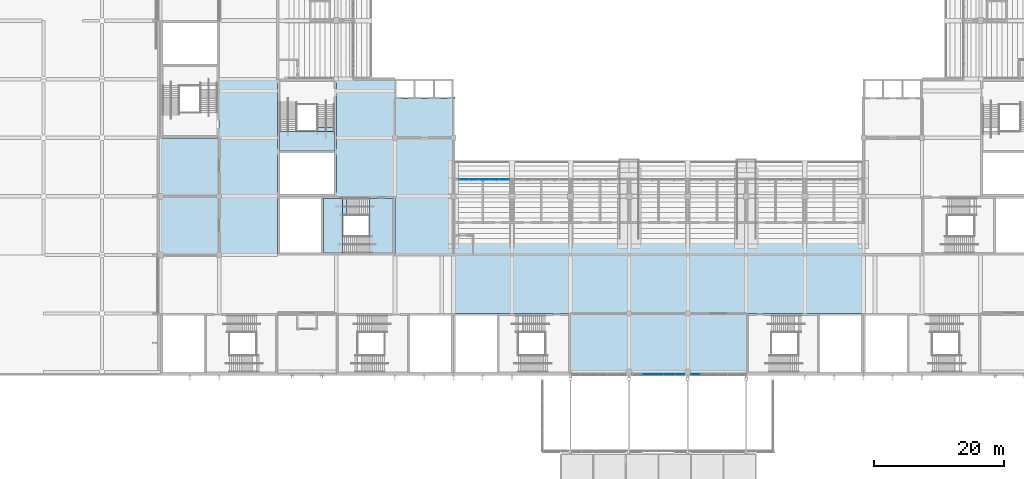
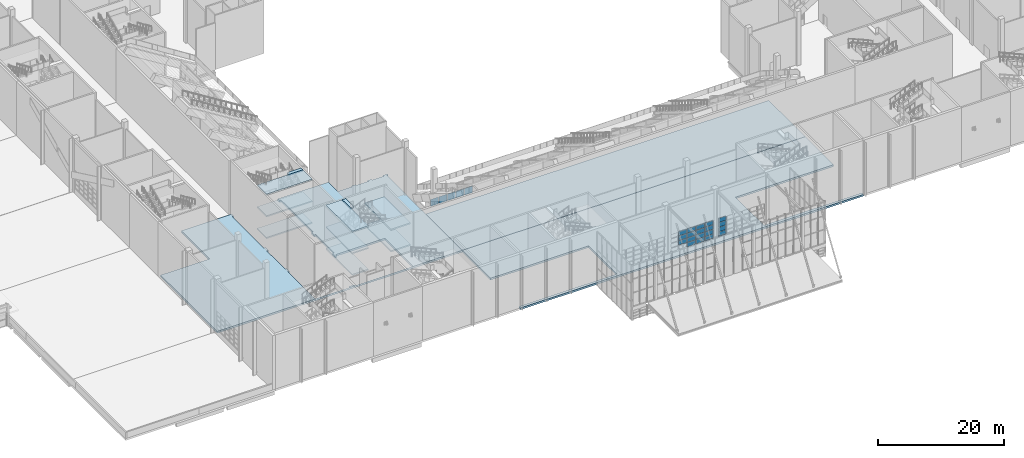
# One storey, part 67 of 182: 24 plates, 13 slabs, 5 elements without a shape of their own.
"""IFC4 building model written with IfcOpenShell, lengths in metres."""

from ifc_helpers import new_model, si_unit, direction, frame, origin, origin_2d, place, context, subcontext, project, spatial, polyline, rectangle, outline, extrude, material, layer, layer_set, type_object, element, aggregate, save


model = new_model("IFC4")

# Units and contexts
model_context = context("Model", 3, precision=1e-05, world=origin(), true_north=direction((0.0, 1.0)))
body_context = subcontext(model_context, "Body", "Model", "MODEL_VIEW")
ifc_project = project(units=[si_unit("LENGTHUNIT", "METRE"), si_unit("AREAUNIT", "SQUARE_METRE"), si_unit("VOLUMEUNIT", "CUBIC_METRE"), si_unit("PLANEANGLEUNIT", "RADIAN"), si_unit("MASSUNIT", "GRAM", prefix="KILO")], contexts=[model_context])

# Site, building, storey
site_placement = place(None, origin())
site = spatial("IfcSite", under=ifc_project, at=site_placement, CompositionType="ELEMENT")
building_placement = place(site_placement, origin())
building = spatial("IfcBuilding", under=site, at=building_placement, Name="Silverbay Arena", CompositionType="ELEMENT")
storey_placement = place(building_placement, frame((0.0, 0.0, 11.5)))
storey = spatial("IfcBuildingStorey", under=building, at=storey_placement, Name="L02", CompositionType="ELEMENT", Elevation=11.5)

# Curtain wall, plates
ifc_material_1 = material(Name="Fire-resisting glass", Category="glass")
curtain_wall_type_1 = type_object("IfcCurtainWallType", Name="Fire-resisting glazed screen EI 120 7850 x 1437", PredefinedType="NOTDEFINED", material=ifc_material_1)
curtain_wall_1_placement = place(storey_placement, origin())
curtain_wall_1 = element("IfcCurtainWall", 1, at=curtain_wall_1_placement, inside=storey, type_object=curtain_wall_type_1, Name="South suite front 1", PredefinedType="NOTDEFINED")
ifc_material_2 = material(Name="Laminated glass", Category="glass")
ifc_layer_1 = layer(ifc_material_2, 0.02392578125)
ifc_layer_set_1 = layer_set([ifc_layer_1], Name="Laminated glass")
plate_type_1 = type_object("IfcPlateType", Name="Glass panel 24", PredefinedType="CURTAIN_PANEL", material=ifc_layer_set_1)
plate_1_placement = place(storey_placement, frame((100.60009765625, 47.60009765625, 1.150146484375), z_axis=(0.0, 0.0, 1.0), x_axis=(1.0, 0.0, 0.0)))
plate_1 = element("IfcPlate", 2, at=plate_1_placement, type_object=plate_type_1, Name="CW17 panel 1.1", PredefinedType="CURTAIN_PANEL", context=body_context, shape_type="SweptSolid", body=[
    extrude(rectangle(XDim=1.47998046875, YDim=0.02392578125, at=origin_2d()), origin(), (0.0, 0.0, 1.0), 1.3369140625),
])
plate_2_placement = place(storey_placement, frame((102.155029296875, 47.60009765625, 1.150146484375), z_axis=(0.0, 0.0, 1.0), x_axis=(1.0, 0.0, 0.0)))
plate_2 = element("IfcPlate", 3, at=plate_2_placement, type_object=plate_type_1, Name="CW17 panel 2.1", PredefinedType="CURTAIN_PANEL", context=body_context, shape_type="SweptSolid", body=[
    extrude(rectangle(XDim=1.510009765625, YDim=0.02392578125, at=origin_2d()), origin(), (0.0, 0.0, 1.0), 1.3369140625),
])
plate_3_placement = place(storey_placement, frame((103.72509765625, 47.60009765625, 1.150146484375), z_axis=(0.0, 0.0, 1.0), x_axis=(1.0, 0.0, 0.0)))
plate_3 = element("IfcPlate", 4, at=plate_3_placement, type_object=plate_type_1, Name="CW17 panel 3.1", PredefinedType="CURTAIN_PANEL", context=body_context, shape_type="SweptSolid", body=[
    extrude(rectangle(XDim=1.510009765625, YDim=0.02392578125, at=origin_2d()), origin(), (0.0, 0.0, 1.0), 1.3369140625),
])
plate_4_placement = place(storey_placement, frame((105.294921875, 47.60009765625, 1.150146484375), z_axis=(0.0, 0.0, 1.0), x_axis=(1.0, 0.0, 0.0)))
plate_4 = element("IfcPlate", 5, at=plate_4_placement, type_object=plate_type_1, Name="CW17 panel 4.1", PredefinedType="CURTAIN_PANEL", context=body_context, shape_type="SweptSolid", body=[
    extrude(rectangle(XDim=1.510009765625, YDim=0.02392578125, at=origin_2d()), origin(), (0.0, 0.0, 1.0), 1.3369140625),
])
plate_5_placement = place(storey_placement, frame((106.85009765625, 47.60009765625, 1.150146484375), z_axis=(0.0, 0.0, 1.0), x_axis=(1.0, 0.0, 0.0)))
plate_5 = element("IfcPlate", 6, at=plate_5_placement, type_object=plate_type_1, Name="CW17 panel 5.1", PredefinedType="CURTAIN_PANEL", context=body_context, shape_type="SweptSolid", body=[
    extrude(rectangle(XDim=1.47998046875, YDim=0.02392578125, at=origin_2d()), origin(), (0.0, 0.0, 1.0), 1.3369140625),
])
aggregate(curtain_wall_1, [plate_1, plate_2, plate_3, plate_4, plate_5])

ifc_material_3 = material(Name="Aluminium framed curtain wall", Category="aluminium")
curtain_wall_type_2 = type_object("IfcCurtainWallType", Name="Curtain wall 8100 x 3600", PredefinedType="NOTDEFINED", material=ifc_material_3)
curtain_wall_2_placement = place(storey_placement, origin())
curtain_wall_2 = element("IfcCurtainWall", 7, at=curtain_wall_2_placement, inside=storey, type_object=curtain_wall_type_2, Name="South curtain wall L02 bay 9", PredefinedType="NOTDEFINED")
ifc_material_4 = material(Name="Laminated glass", Category="glass")
ifc_layer_2 = layer(ifc_material_4, 0.035888671875)
ifc_layer_set_2 = layer_set([ifc_layer_2], Name="Laminated glass")
plate_type_2 = type_object("IfcPlateType", Name="Glass panel 36", PredefinedType="CURTAIN_PANEL", material=ifc_layer_set_2)
plate_6_placement = place(storey_placement, frame((128.8798828125, 17.64990234375, 1.925048828125), z_axis=(0.0, 0.0, 1.0), x_axis=(1.0, 0.0, 0.0)))
plate_6 = element("IfcPlate", 8, at=plate_6_placement, type_object=plate_type_2, Name="CW11 panel 2.2", PredefinedType="CURTAIN_PANEL", context=body_context, shape_type="SweptSolid", body=[
    extrude(rectangle(XDim=1.56005859375, YDim=0.035888671875, at=origin_2d()), origin(), (0.0, 0.0, 1.0), 0.85009765625),
])
plate_7_placement = place(storey_placement, frame((128.8798828125, 17.64990234375, 2.824951171875), z_axis=(0.0, 0.0, 1.0), x_axis=(1.0, 0.0, 0.0)))
plate_7 = element("IfcPlate", 9, at=plate_7_placement, type_object=plate_type_2, Name="CW11 panel 2.3", PredefinedType="CURTAIN_PANEL", context=body_context, shape_type="SweptSolid", body=[
    extrude(rectangle(XDim=1.56005859375, YDim=0.035888671875, at=origin_2d()), origin(), (0.0, 0.0, 1.0), 0.85009765625),
])
plate_8_placement = place(storey_placement, frame((128.8798828125, 17.64990234375, 3.72509765625), z_axis=(0.0, 0.0, 1.0), x_axis=(1.0, 0.0, 0.0)))
plate_8 = element("IfcPlate", 10, at=plate_8_placement, type_object=plate_type_2, Name="CW11 panel 2.4", PredefinedType="CURTAIN_PANEL", context=body_context, shape_type="SweptSolid", body=[
    extrude(rectangle(XDim=1.56005859375, YDim=0.035888671875, at=origin_2d()), origin(), (0.0, 0.0, 1.0), 0.824951171875),
])
plate_9_placement = place(storey_placement, frame((130.5, 17.64990234375, 1.0498046875), z_axis=(0.0, 0.0, 1.0), x_axis=(1.0, 0.0, 0.0)))
plate_9 = element("IfcPlate", 11, at=plate_9_placement, type_object=plate_type_2, Name="CW11 panel 3.1", PredefinedType="CURTAIN_PANEL", context=body_context, shape_type="SweptSolid", body=[
    extrude(rectangle(XDim=1.56005859375, YDim=0.035888671875, at=origin_2d()), origin(), (0.0, 0.0, 1.0), 0.824951171875),
])
plate_10_placement = place(storey_placement, frame((130.5, 17.64990234375, 1.925048828125), z_axis=(0.0, 0.0, 1.0), x_axis=(1.0, 0.0, 0.0)))
plate_10 = element("IfcPlate", 12, at=plate_10_placement, type_object=plate_type_2, Name="CW11 panel 3.2", PredefinedType="CURTAIN_PANEL", context=body_context, shape_type="SweptSolid", body=[
    extrude(rectangle(XDim=1.56005859375, YDim=0.035888671875, at=origin_2d()), origin(), (0.0, 0.0, 1.0), 0.85009765625),
])
plate_11_placement = place(storey_placement, frame((130.5, 17.64990234375, 2.824951171875), z_axis=(0.0, 0.0, 1.0), x_axis=(1.0, 0.0, 0.0)))
plate_11 = element("IfcPlate", 13, at=plate_11_placement, type_object=plate_type_2, Name="CW11 panel 3.3", PredefinedType="CURTAIN_PANEL", context=body_context, shape_type="SweptSolid", body=[
    extrude(rectangle(XDim=1.56005859375, YDim=0.035888671875, at=origin_2d()), origin(), (0.0, 0.0, 1.0), 0.85009765625),
])
plate_12_placement = place(storey_placement, frame((130.5, 17.64990234375, 3.72509765625), z_axis=(0.0, 0.0, 1.0), x_axis=(1.0, 0.0, 0.0)))
plate_12 = element("IfcPlate", 14, at=plate_12_placement, type_object=plate_type_2, Name="CW11 panel 3.4", PredefinedType="CURTAIN_PANEL", context=body_context, shape_type="SweptSolid", body=[
    extrude(rectangle(XDim=1.56005859375, YDim=0.035888671875, at=origin_2d()), origin(), (0.0, 0.0, 1.0), 0.824951171875),
])
plate_13_placement = place(storey_placement, frame((132.1201171875, 17.64990234375, 1.0498046875), z_axis=(0.0, 0.0, 1.0), x_axis=(1.0, 0.0, 0.0)))
plate_13 = element("IfcPlate", 15, at=plate_13_placement, type_object=plate_type_2, Name="CW11 panel 4.1", PredefinedType="CURTAIN_PANEL", context=body_context, shape_type="SweptSolid", body=[
    extrude(rectangle(XDim=1.56005859375, YDim=0.035888671875, at=origin_2d()), origin(), (0.0, 0.0, 1.0), 0.824951171875),
])
plate_14_placement = place(storey_placement, frame((132.1201171875, 17.64990234375, 1.925048828125), z_axis=(0.0, 0.0, 1.0), x_axis=(1.0, 0.0, 0.0)))
plate_14 = element("IfcPlate", 16, at=plate_14_placement, type_object=plate_type_2, Name="CW11 panel 4.2", PredefinedType="CURTAIN_PANEL", context=body_context, shape_type="SweptSolid", body=[
    extrude(rectangle(XDim=1.56005859375, YDim=0.035888671875, at=origin_2d()), origin(), (0.0, 0.0, 1.0), 0.85009765625),
])
plate_15_placement = place(storey_placement, frame((132.1201171875, 17.64990234375, 2.824951171875), z_axis=(0.0, 0.0, 1.0), x_axis=(1.0, 0.0, 0.0)))
plate_15 = element("IfcPlate", 17, at=plate_15_placement, type_object=plate_type_2, Name="CW11 panel 4.3", PredefinedType="CURTAIN_PANEL", context=body_context, shape_type="SweptSolid", body=[
    extrude(rectangle(XDim=1.56005859375, YDim=0.035888671875, at=origin_2d()), origin(), (0.0, 0.0, 1.0), 0.85009765625),
])
plate_16_placement = place(storey_placement, frame((132.1201171875, 17.64990234375, 3.72509765625), z_axis=(0.0, 0.0, 1.0), x_axis=(1.0, 0.0, 0.0)))
plate_16 = element("IfcPlate", 18, at=plate_16_placement, type_object=plate_type_2, Name="CW11 panel 4.4", PredefinedType="CURTAIN_PANEL", context=body_context, shape_type="SweptSolid", body=[
    extrude(rectangle(XDim=1.56005859375, YDim=0.035888671875, at=origin_2d()), origin(), (0.0, 0.0, 1.0), 0.824951171875),
])
plate_17_placement = place(storey_placement, frame((133.72509765625, 17.64990234375, 1.0498046875), z_axis=(0.0, 0.0, 1.0), x_axis=(1.0, 0.0, 0.0)))
plate_17 = element("IfcPlate", 19, at=plate_17_placement, type_object=plate_type_2, Name="CW11 panel 5.1", PredefinedType="CURTAIN_PANEL", context=body_context, shape_type="SweptSolid", body=[
    extrude(rectangle(XDim=1.530029296875, YDim=0.035888671875, at=origin_2d()), origin(), (0.0, 0.0, 1.0), 0.824951171875),
])
plate_18_placement = place(storey_placement, frame((133.72509765625, 17.64990234375, 1.925048828125), z_axis=(0.0, 0.0, 1.0), x_axis=(1.0, 0.0, 0.0)))
plate_18 = element("IfcPlate", 20, at=plate_18_placement, type_object=plate_type_2, Name="CW11 panel 5.2", PredefinedType="CURTAIN_PANEL", context=body_context, shape_type="SweptSolid", body=[
    extrude(rectangle(XDim=1.530029296875, YDim=0.035888671875, at=origin_2d()), origin(), (0.0, 0.0, 1.0), 0.85009765625),
])
plate_19_placement = place(storey_placement, frame((133.72509765625, 17.64990234375, 2.824951171875), z_axis=(0.0, 0.0, 1.0), x_axis=(1.0, 0.0, 0.0)))
plate_19 = element("IfcPlate", 21, at=plate_19_placement, type_object=plate_type_2, Name="CW11 panel 5.3", PredefinedType="CURTAIN_PANEL", context=body_context, shape_type="SweptSolid", body=[
    extrude(rectangle(XDim=1.530029296875, YDim=0.035888671875, at=origin_2d()), origin(), (0.0, 0.0, 1.0), 0.85009765625),
])
plate_20_placement = place(storey_placement, frame((133.72509765625, 17.64990234375, 3.72509765625), z_axis=(0.0, 0.0, 1.0), x_axis=(1.0, 0.0, 0.0)))
plate_20 = element("IfcPlate", 22, at=plate_20_placement, type_object=plate_type_2, Name="CW11 panel 5.4", PredefinedType="CURTAIN_PANEL", context=body_context, shape_type="SweptSolid", body=[
    extrude(rectangle(XDim=1.530029296875, YDim=0.035888671875, at=origin_2d()), origin(), (0.0, 0.0, 1.0), 0.824951171875),
])
aggregate(curtain_wall_2, [plate_6, plate_7, plate_8, plate_9, plate_10, plate_11, plate_12, plate_13, plate_14, plate_15, plate_16, plate_17, plate_18, plate_19, plate_20])

ifc_material_5 = material(Name="Aluminium framed curtain wall", Category="aluminium")
curtain_wall_type_3 = type_object("IfcCurtainWallType", Name="Curtain wall 8550 x 3600", PredefinedType="NOTDEFINED", material=ifc_material_5)
curtain_wall_3_placement = place(storey_placement, origin())
curtain_wall_3 = element("IfcCurtainWall", 23, at=curtain_wall_3_placement, inside=storey, type_object=curtain_wall_type_3, Name="South curtain wall L02 bay 10", PredefinedType="NOTDEFINED")
plate_21_placement = place(storey_placement, frame((136.177490234375, 17.64990234375, 1.0498046875), z_axis=(0.0, 0.0, 1.0), x_axis=(1.0, 0.0, 0.0)))
plate_21 = element("IfcPlate", 24, at=plate_21_placement, type_object=plate_type_2, Name="CW10 panel 1.1", PredefinedType="CURTAIN_PANEL", context=body_context, shape_type="SweptSolid", body=[
    extrude(rectangle(XDim=1.3349609375, YDim=0.035888671875, at=origin_2d()), origin(), (0.0, 0.0, 1.0), 0.824951171875),
])
plate_22_placement = place(storey_placement, frame((136.177490234375, 17.64990234375, 1.925048828125), z_axis=(0.0, 0.0, 1.0), x_axis=(1.0, 0.0, 0.0)))
plate_22 = element("IfcPlate", 25, at=plate_22_placement, type_object=plate_type_2, Name="CW10 panel 1.2", PredefinedType="CURTAIN_PANEL", context=body_context, shape_type="SweptSolid", body=[
    extrude(rectangle(XDim=1.3349609375, YDim=0.035888671875, at=origin_2d()), origin(), (0.0, 0.0, 1.0), 0.85009765625),
])
plate_23_placement = place(storey_placement, frame((136.177490234375, 17.64990234375, 2.824951171875), z_axis=(0.0, 0.0, 1.0), x_axis=(1.0, 0.0, 0.0)))
plate_23 = element("IfcPlate", 26, at=plate_23_placement, type_object=plate_type_2, Name="CW10 panel 1.3", PredefinedType="CURTAIN_PANEL", context=body_context, shape_type="SweptSolid", body=[
    extrude(rectangle(XDim=1.3349609375, YDim=0.035888671875, at=origin_2d()), origin(), (0.0, 0.0, 1.0), 0.85009765625),
])
plate_24_placement = place(storey_placement, frame((136.177490234375, 17.64990234375, 3.72509765625), z_axis=(0.0, 0.0, 1.0), x_axis=(1.0, 0.0, 0.0)))
plate_24 = element("IfcPlate", 27, at=plate_24_placement, type_object=plate_type_2, Name="CW10 panel 1.4", PredefinedType="CURTAIN_PANEL", context=body_context, shape_type="SweptSolid", body=[
    extrude(rectangle(XDim=1.3349609375, YDim=0.035888671875, at=origin_2d()), origin(), (0.0, 0.0, 1.0), 0.824951171875),
])
aggregate(curtain_wall_3, [plate_21, plate_22, plate_23, plate_24])

# Slabs
ifc_material_6 = material(Name="Concrete Grade C45", Category="concrete")
ifc_layer_3 = layer(ifc_material_6, 0.35009765625)
ifc_layer_set_3 = layer_set([ifc_layer_3], Name="Concrete Grade C45")
slab_type_1 = type_object("IfcSlabType", Name="RC floor slab 350", PredefinedType="FLOOR", material=ifc_layer_set_3)
slab_1_placement = place(storey_placement, frame((0.0, 0.0, -0.35009765625)))
element("IfcSlab", 28, at=slab_1_placement, inside=storey, type_object=slab_type_1, Name="Floor slab L02 unit 2", PredefinedType="FLOOR", context=body_context, shape_type="SweptSolid", body=[
    extrude(outline(polyline([(144.0, 27.0), (144.0, 18.0), (162.0, 18.0), (162.0, 17.5), (99.0, 17.5), (99.0, 18.0), (117.0, 18.0), (117.0, 27.0), (99.0, 27.0), (99.0, 35.97509765625), (162.0, 35.97509765625), (162.0, 27.0), (144.0, 27.0)])), origin(), (0.0, 0.0, 1.0), 0.35009765625),
])
slab_2_placement = place(storey_placement, frame((0.0, 0.0, -0.35009765625)))
element("IfcSlab", 29, at=slab_2_placement, inside=storey, type_object=slab_type_1, Name="Floor slab L02 unit 4", PredefinedType="FLOOR", context=body_context, shape_type="SweptSolid", body=[
    extrude(outline(polyline([(78.39990234375, 36.300048828125), (79.300048828125, 36.300048828125), (79.300048828125, 36.0), (90.0, 36.0), (90.0, 45.0), (81.0, 45.0), (81.0, 44.699951171875), (80.699951171875, 44.699951171875), (80.699951171875, 45.60009765625), (81.0, 45.60009765625), (81.0, 51.39990234375), (80.699951171875, 51.39990234375), (80.699951171875, 52.300048828125), (81.0, 52.300048828125), (81.0, 62.39990234375), (80.699951171875, 62.39990234375), (80.699951171875, 63.0), (90.0, 63.0), (90.0, 60.0), (92.64990234375, 60.0), (92.64990234375, 60.25), (93.35009765625, 60.25), (93.35009765625, 60.0), (95.64990234375, 60.0), (95.64990234375, 60.25), (96.35009765625, 60.25), (96.35009765625, 60.0), (98.5, 60.0), (98.5, 60.25), (99.25, 60.25), (99.25, 60.0), (99.0, 60.0), (99.0, 35.97509765625), (54.0, 35.97509765625), (54.0, 54.0), (63.0, 54.0), (63.0, 63.0), (72.300048828125, 63.0), (72.300048828125, 62.39990234375), (72.0, 62.39990234375), (72.0, 52.300048828125), (72.300048828125, 52.300048828125), (72.300048828125, 51.39990234375), (72.0, 51.39990234375), (72.0, 45.60009765625), (72.300048828125, 45.60009765625), (72.300048828125, 44.699951171875), (72.0, 44.699951171875), (72.0, 36.0), (78.39990234375, 36.0), (78.39990234375, 36.300048828125)])), origin(), (0.0, 0.0, 1.0), 0.35009765625),
])
slab_3_placement = place(storey_placement, frame((0.0, 0.0, -0.35009765625)))
element("IfcSlab", 30, at=slab_3_placement, inside=storey, type_object=slab_type_1, Name="Floor slab L02 unit 5", PredefinedType="FLOOR", context=body_context, shape_type="SweptSolid", body=[
    extrude(outline(polyline([(99.0, 35.97509765625), (99.0, 47.60009765625), (162.0, 47.60009765625), (162.0, 35.97509765625), (99.0, 35.97509765625)])), origin(), (0.0, 0.0, 1.0), 0.35009765625),
])

# Stair, slab
ifc_material_7 = material(Name="Concrete Grade C45", Category="concrete")
stair_type = type_object("IfcStairType", Name="Stair 2600 wide 80 risers 131.2 x 300", PredefinedType="HALF_TURN_STAIR", material=ifc_material_7)
stair_1_placement = place(storey_placement, origin())
stair_1 = element("IfcStair", 31, at=stair_1_placement, inside=storey, type_object=stair_type, Name="Stair ST-SW1 L02 to L03", PredefinedType="HALF_TURN_STAIR")
ifc_material_8 = material(Name="Concrete Grade C45", Category="concrete")
ifc_layer_4 = layer(ifc_material_8, 0.25)
ifc_layer_set_4 = layer_set([ifc_layer_4], Name="Concrete Grade C45")
slab_type_2 = type_object("IfcSlabType", Name="Stair arrival platform RC 250", PredefinedType="FLOOR", material=ifc_layer_set_4)
slab_4_placement = place(storey_placement, frame((0.0, 0.0, 10.25)))
slab_4 = element("IfcSlab", 32, at=slab_4_placement, type_object=slab_type_2, Name="Stair ST-SW1 L02 to L03 arrival platform 6", PredefinedType="FLOOR", context=body_context, shape_type="SweptSolid", body=[
    extrude(outline(polyline([(82.60009765625, 44.699951171875), (81.97412109375, 44.699951171875), (81.97412109375, 42.10009765625), (82.60009765625, 42.10009765625), (82.60009765625, 44.699951171875)])), origin(), (0.0, 0.0, 1.0), 0.25),
])

stair_2_placement = place(storey_placement, origin())
stair_2 = element("IfcStair", 33, at=stair_2_placement, inside=storey, type_object=stair_type, Name="Stair ST-SW2 L02 to L03", PredefinedType="HALF_TURN_STAIR")
slab_5_placement = place(storey_placement, frame((0.0, 0.0, 10.25)))
slab_5 = element("IfcSlab", 34, at=slab_5_placement, type_object=slab_type_2, Name="Stair ST-SW2 L02 to L03 arrival platform 6", PredefinedType="FLOOR", context=body_context, shape_type="SweptSolid", body=[
    extrude(outline(polyline([(80.699951171875, 55.60009765625), (80.699951171875, 54.97412109375), (78.10009765625, 54.97412109375), (78.10009765625, 55.60009765625), (80.699951171875, 55.60009765625)])), origin(), (0.0, 0.0, 1.0), 0.25),
])

# Slab
ifc_material_9 = material(Name="Concrete Grade C45", Category="concrete")
ifc_layer_5 = layer(ifc_material_9, 0.25)
ifc_layer_set_5 = layer_set([ifc_layer_5], Name="Concrete Grade C45")
slab_type_3 = type_object("IfcSlabType", Name="Stair landing RC 250", PredefinedType="LANDING", material=ifc_layer_set_5)
slab_6_placement = place(storey_placement, frame((0.0, 0.0, 1.85009765625)))
slab_6 = element("IfcSlab", 35, at=slab_6_placement, type_object=slab_type_3, Name="Stair ST-SW1 L02 to L03 landing 1", PredefinedType="LANDING", context=body_context, shape_type="SweptSolid", body=[
    extrude(outline(polyline([(81.97412109375, 44.699951171875), (79.0, 44.699951171875), (79.0, 36.300048828125), (81.97412109375, 36.300048828125), (81.97412109375, 44.699951171875)])), origin(), (0.0, 0.0, 1.0), 0.25),
])

slab_7_placement = place(storey_placement, frame((0.0, 0.0, 3.949951171875)))
slab_7 = element("IfcSlab", 36, at=slab_7_placement, type_object=slab_type_3, Name="Stair ST-SW1 L02 to L03 landing 2", PredefinedType="LANDING", context=body_context, shape_type="SweptSolid", body=[
    extrude(outline(polyline([(89.699951171875, 44.699951171875), (86.10009765625, 44.699951171875), (86.10009765625, 36.300048828125), (89.699951171875, 36.300048828125), (89.699951171875, 44.699951171875)])), origin(), (0.0, 0.0, 1.0), 0.25),
])

slab_8_placement = place(storey_placement, frame((0.0, 0.0, 6.050048828125)))
slab_8 = element("IfcSlab", 37, at=slab_8_placement, type_object=slab_type_3, Name="Stair ST-SW1 L02 to L03 landing 3", PredefinedType="LANDING", context=body_context, shape_type="SweptSolid", body=[
    extrude(outline(polyline([(81.97412109375, 44.699951171875), (79.0, 44.699951171875), (79.0, 36.300048828125), (81.97412109375, 36.300048828125), (81.97412109375, 44.699951171875)])), origin(), (0.0, 0.0, 1.0), 0.25),
])

slab_9_placement = place(storey_placement, frame((0.0, 0.0, 8.14990234375)))
slab_9 = element("IfcSlab", 38, at=slab_9_placement, type_object=slab_type_3, Name="Stair ST-SW1 L02 to L03 landing 4", PredefinedType="LANDING", context=body_context, shape_type="SweptSolid", body=[
    extrude(outline(polyline([(89.699951171875, 44.699951171875), (86.10009765625, 44.699951171875), (86.10009765625, 36.300048828125), (89.699951171875, 36.300048828125), (89.699951171875, 44.699951171875)])), origin(), (0.0, 0.0, 1.0), 0.25),
])

slab_10_placement = place(storey_placement, frame((0.0, 0.0, 10.25)))
slab_10 = element("IfcSlab", 39, at=slab_10_placement, type_object=slab_type_3, Name="Stair ST-SW1 L02 to L03 landing 5", PredefinedType="LANDING", context=body_context, shape_type="SweptSolid", body=[
    extrude(outline(polyline([(81.97412109375, 44.699951171875), (79.0, 44.699951171875), (79.0, 36.300048828125), (81.97412109375, 36.300048828125), (81.97412109375, 44.699951171875)])), origin(), (0.0, 0.0, 1.0), 0.25),
])

aggregate(stair_1, [slab_6, slab_7, slab_8, slab_9, slab_10, slab_4])

slab_11_placement = place(storey_placement, frame((0.0, 0.0, 1.85009765625)))
slab_11 = element("IfcSlab", 40, at=slab_11_placement, type_object=slab_type_3, Name="Stair ST-SW2 L02 to L03 landing 1", PredefinedType="LANDING", context=body_context, shape_type="SweptSolid", body=[
    extrude(outline(polyline([(80.699951171875, 54.97412109375), (80.699951171875, 52.0), (72.300048828125, 52.0), (72.300048828125, 54.97412109375), (80.699951171875, 54.97412109375)])), origin(), (0.0, 0.0, 1.0), 0.25),
])

slab_12_placement = place(storey_placement, frame((0.0, 0.0, 6.050048828125)))
slab_12 = element("IfcSlab", 41, at=slab_12_placement, type_object=slab_type_3, Name="Stair ST-SW2 L02 to L03 landing 3", PredefinedType="LANDING", context=body_context, shape_type="SweptSolid", body=[
    extrude(outline(polyline([(80.699951171875, 54.97412109375), (80.699951171875, 52.0), (72.300048828125, 52.0), (72.300048828125, 54.97412109375), (80.699951171875, 54.97412109375)])), origin(), (0.0, 0.0, 1.0), 0.25),
])

slab_13_placement = place(storey_placement, frame((0.0, 0.0, 10.25)))
slab_13 = element("IfcSlab", 42, at=slab_13_placement, type_object=slab_type_3, Name="Stair ST-SW2 L02 to L03 landing 5", PredefinedType="LANDING", context=body_context, shape_type="SweptSolid", body=[
    extrude(outline(polyline([(80.699951171875, 54.97412109375), (80.699951171875, 52.0), (72.300048828125, 52.0), (72.300048828125, 54.97412109375), (80.699951171875, 54.97412109375)])), origin(), (0.0, 0.0, 1.0), 0.25),
])

aggregate(stair_2, [slab_11, slab_12, slab_13, slab_5])

save(model, "model.ifc")
